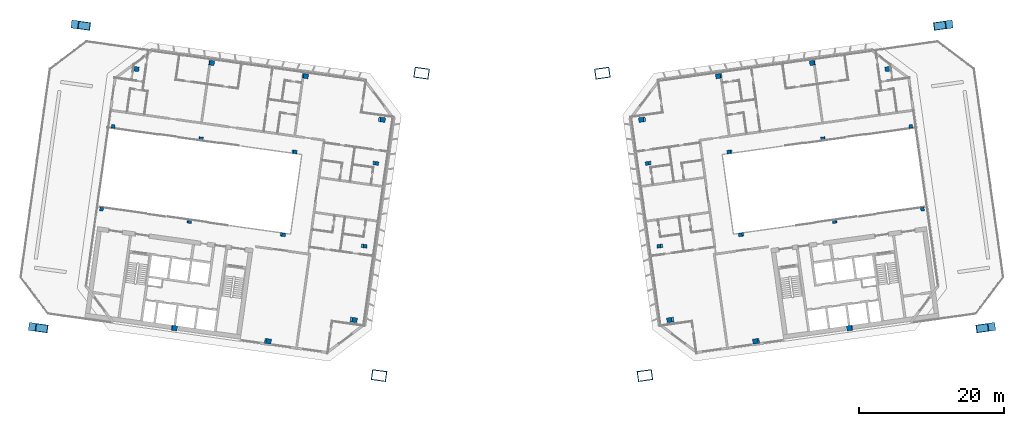
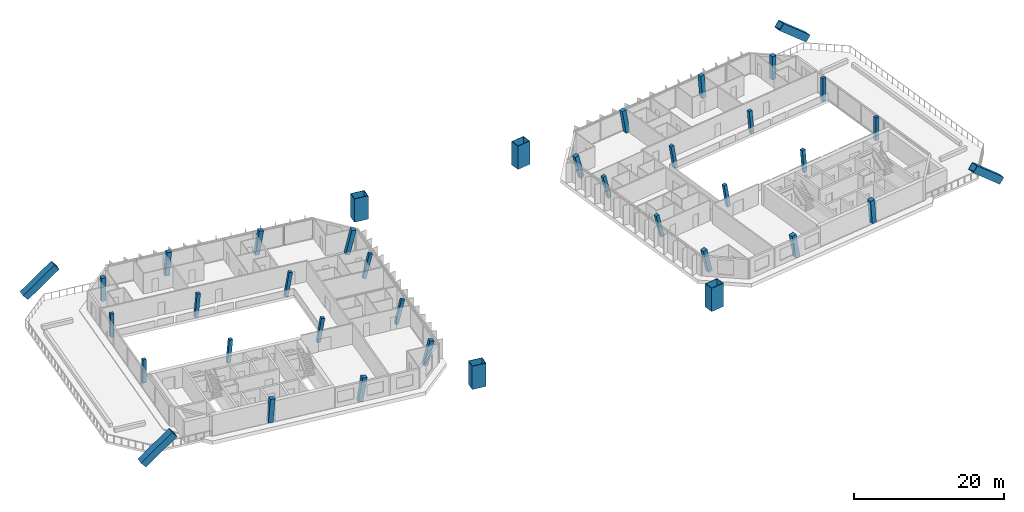
# One storey, part 1 of 17: 38 columns.
"""IFC4 building model written with IfcOpenShell, lengths in metres."""

from ifc_helpers import new_model, si_unit, direction, frame, origin, origin_2d, place, context, subcontext, project, spatial, rectangle, hollow_rectangle, extrude, material, material_profile, profile_set, type_object, element, save


model = new_model("IFC4")

# Units and contexts
model_context = context("Model", 3, precision=1e-05, world=origin(), true_north=direction((0.0, 1.0)))
body_context = subcontext(model_context, "Body", "Model", "MODEL_VIEW")
ifc_project = project(units=[si_unit("LENGTHUNIT", "METRE"), si_unit("AREAUNIT", "SQUARE_METRE"), si_unit("VOLUMEUNIT", "CUBIC_METRE"), si_unit("PLANEANGLEUNIT", "RADIAN"), si_unit("MASSUNIT", "GRAM", prefix="KILO")], contexts=[model_context])

# Site, building, storey
site_placement = place(None, origin())
site = spatial("IfcSite", under=ifc_project, at=site_placement, CompositionType="ELEMENT")
building_placement = place(site_placement, origin())
building = spatial("IfcBuilding", under=site, at=building_placement, Name="Mirante Cascada Hotel Towers", CompositionType="ELEMENT")
storey_placement = place(building_placement, frame((0.0, 0.0, 250.8)))
storey = spatial("IfcBuildingStorey", under=building, at=storey_placement, Name="L60", CompositionType="ELEMENT", Elevation=250.8)

# Columns
ifc_material_1 = material(Name="Steel ASTM A572 Gr 50", Category="steel")
ifc_material_profile_1 = material_profile(ifc_material_1, hollow_rectangle(XDim=1.1, YDim=1.1, WallThickness=0.05, at=origin_2d()), Name="Box column 1100x1100x50 ASTM A572 Gr 50")
ifc_profile_set_1 = profile_set([ifc_material_profile_1], Name="Steel ASTM A572 Gr 50")
column_type_1 = type_object("IfcColumnType", Name="Box column 1100x1100x50 ASTM A572 Gr 50", PredefinedType="COLUMN", material=ifc_profile_set_1)
for number, where, z_axis, x_axis, name in (
    (1, (-60.2513, 23.4579, 0.0), (0.7565937, -0.106336, 0.6451811), (0.1391779, 0.9902674, 0.0), "Mega column MC3 T1 L60"),
    (2, (-66.0966, -18.1333, 0.0), (0.7565937, -0.106336, 0.6451811), (0.1391779, 0.9902674, 0.0), "Mega column MC4 T1 L60"),
    (3, (60.2513, 23.4579, 0.0), (-0.7565937, -0.106336, 0.6451811), (0.1391779, -0.9902674, 0.0), "Mega column MC3 T2 L60"),
    (4, (66.0966, -18.1333, 0.0), (-0.7565937, -0.106336, 0.6451811), (0.1391779, -0.9902674, 0.0), "Mega column MC4 T2 L60"),
):
    element("IfcColumn", number, at=place(storey_placement, frame(where, z_axis=z_axis, x_axis=x_axis)), inside=storey, type_object=column_type_1, Name=name, PredefinedType="COLUMN", context=body_context, shape_type="SweptSolid", body=[
        extrude(hollow_rectangle(XDim=1.1, YDim=1.1, WallThickness=0.05, at=origin_2d()), origin(), (0.0, 0.0, 1.0), 5.8898),
    ])
ifc_material_2 = material(Name="Steel ASTM A572 Gr 50", Category="steel")
ifc_material_profile_2 = material_profile(ifc_material_2, hollow_rectangle(XDim=2.0, YDim=1.4, WallThickness=0.06, at=origin_2d()), Name="Box column 1400x2000x60 ASTM A572 Gr 50")
ifc_profile_set_2 = profile_set([ifc_material_profile_2], Name="Steel ASTM A572 Gr 50")
column_type_2 = type_object("IfcColumnType", Name="Box column 1400x2000x60 ASTM A572 Gr 50", PredefinedType="COLUMN", material=ifc_profile_set_2)
for number, where, z_axis, x_axis, name in (
    (5, (-12.4334, 16.7376, 0.0), (0.0, 0.0, 1.0), (-0.9902681, 0.1391731, 0.0), "Mega column MC1 T1 L60"),
    (6, (-18.2787, -24.8537, 0.0), (0.0, 0.0, 1.0), (-0.9902681, 0.1391731, 0.0), "Mega column MC2 T1 L60"),
    (7, (12.4334, 16.7376, 0.0), (0.0, 0.0, 1.0), (0.9902681, 0.1391731, 0.0), "Mega column MC1 T2 L60"),
    (8, (18.2787, -24.8537, 0.0), (0.0, 0.0, 1.0), (0.9902681, 0.1391731, 0.0), "Mega column MC2 T2 L60"),
):
    element("IfcColumn", number, at=place(storey_placement, frame(where, z_axis=z_axis, x_axis=x_axis)), inside=storey, type_object=column_type_2, Name=name, PredefinedType="COLUMN", context=body_context, shape_type="SweptSolid", body=[
        extrude(hollow_rectangle(XDim=2.0, YDim=1.4, WallThickness=0.06, at=origin_2d()), origin(), (0.0, 0.0, 1.0), 3.8),
    ])
ifc_material_3 = material(Name="Concrete C50/60", Category="concrete")
ifc_material_profile_3 = material_profile(ifc_material_3, rectangle(XDim=0.5, YDim=0.5, at=origin_2d()), Name="RC column 500x500 C50/60")
ifc_profile_set_3 = profile_set([ifc_material_profile_3], Name="Concrete C50/60")
column_type_3 = type_object("IfcColumnType", Name="RC column 500x500 C50/60", PredefinedType="COLUMN", material=ifc_profile_set_3)
for number, where, z_axis, x_axis, name in (
    (9, (-18.8816, 4.3646, 0.0039), (0.2312057, -0.0325129, 0.9723615), (0.1392531, 0.9902568, 0.0), "Column T1 L60 2"),
    (10, (-20.4821, -7.0235, 0.0039), (0.2312057, -0.0325129, 0.9723615), (0.1392531, 0.9902568, 0.0), "Column T1 L60 3"),
):
    element("IfcColumn", number, at=place(storey_placement, frame(where, z_axis=z_axis, x_axis=x_axis)), inside=storey, type_object=column_type_3, Name=name, PredefinedType="COLUMN", context=body_context, shape_type="SweptSolid", body=[
        extrude(rectangle(XDim=0.5, YDim=0.5, at=origin_2d()), origin(), (0.0, 0.0, 1.0), 3.9),
    ])
for number, where, z_axis, x_axis, name in (
    (11, (-30.0054, 5.9279, 0.0039), (0.1631072, -0.0229146, 0.9863422), (0.1391218, 0.9902753, 0.0), "Column T1 L60 6"),
    (12, (-31.6059, -5.4602, 0.0039), (0.1631072, -0.0229146, 0.9863422), (0.1391218, 0.9902753, 0.0), "Column T1 L60 7"),
):
    element("IfcColumn", number, at=place(storey_placement, frame(where, z_axis=z_axis, x_axis=x_axis)), inside=storey, type_object=column_type_3, Name=name, PredefinedType="COLUMN", context=body_context, shape_type="SweptSolid", body=[
        extrude(rectangle(XDim=0.5, YDim=0.5, at=origin_2d()), origin(), (0.0, 0.0, 1.0), 3.8447),
    ])
for number, where, z_axis, x_axis, name in (
    (13, (-42.8251, 7.7296, 0.004), (0.0824135, -0.0115894, 0.9965308), (0.1392548, 0.9902566, 0.0), "Column T1 L60 10"),
    (14, (-44.4256, -3.6585, 0.004), (0.0824135, -0.0115894, 0.9965308), (0.1392548, 0.9902566, 0.0), "Column T1 L60 11"),
):
    element("IfcColumn", number, at=place(storey_placement, frame(where, z_axis=z_axis, x_axis=x_axis)), inside=storey, type_object=column_type_3, Name=name, PredefinedType="COLUMN", context=body_context, shape_type="SweptSolid", body=[
        extrude(rectangle(XDim=0.5, YDim=0.5, at=origin_2d()), origin(), (0.0, 0.0, 1.0), 3.8052),
    ])
for number, where, z_axis, x_axis, name in (
    (15, (-54.8525, 9.4199, 0.0), (0.0, 0.0, 1.0), (-0.9902681, 0.1391731, 0.0), "Column T1 L60 14"),
    (16, (-56.453, -1.9681, 0.0), (0.0, 0.0, 1.0), (-0.9902681, 0.1391731, 0.0), "Column T1 L60 15"),
):
    element("IfcColumn", number, at=place(storey_placement, frame(where, z_axis=z_axis, x_axis=x_axis)), inside=storey, type_object=column_type_3, Name=name, PredefinedType="COLUMN", context=body_context, shape_type="SweptSolid", body=[
        extrude(rectangle(XDim=0.5, YDim=0.5, at=origin_2d()), origin(), (0.0, 0.0, 1.0), 3.8),
    ])
for number, where, z_axis, x_axis, name in (
    (17, (18.8816, 4.3646, 0.0039), (-0.2312057, -0.0325129, 0.9723615), (0.1392531, -0.9902568, 0.0), "Column T2 L60 2"),
    (18, (20.4821, -7.0235, 0.0039), (-0.2312057, -0.0325129, 0.9723615), (0.1392531, -0.9902568, 0.0), "Column T2 L60 3"),
):
    element("IfcColumn", number, at=place(storey_placement, frame(where, z_axis=z_axis, x_axis=x_axis)), inside=storey, type_object=column_type_3, Name=name, PredefinedType="COLUMN", context=body_context, shape_type="SweptSolid", body=[
        extrude(rectangle(XDim=0.5, YDim=0.5, at=origin_2d()), origin(), (0.0, 0.0, 1.0), 3.9),
    ])
for number, where, z_axis, x_axis, name in (
    (19, (30.0054, 5.9279, 0.0039), (-0.1631072, -0.0229146, 0.9863422), (0.1391218, -0.9902753, 0.0), "Column T2 L60 6"),
    (20, (31.6059, -5.4602, 0.0039), (-0.1631072, -0.0229146, 0.9863422), (0.1391218, -0.9902753, 0.0), "Column T2 L60 7"),
):
    element("IfcColumn", number, at=place(storey_placement, frame(where, z_axis=z_axis, x_axis=x_axis)), inside=storey, type_object=column_type_3, Name=name, PredefinedType="COLUMN", context=body_context, shape_type="SweptSolid", body=[
        extrude(rectangle(XDim=0.5, YDim=0.5, at=origin_2d()), origin(), (0.0, 0.0, 1.0), 3.8447),
    ])
for number, where, z_axis, x_axis, name in (
    (21, (42.8251, 7.7296, 0.004), (-0.0824135, -0.0115894, 0.9965308), (0.1392548, -0.9902566, 0.0), "Column T2 L60 10"),
    (22, (44.4256, -3.6585, 0.004), (-0.0824135, -0.0115894, 0.9965308), (0.1392548, -0.9902566, 0.0), "Column T2 L60 11"),
):
    element("IfcColumn", number, at=place(storey_placement, frame(where, z_axis=z_axis, x_axis=x_axis)), inside=storey, type_object=column_type_3, Name=name, PredefinedType="COLUMN", context=body_context, shape_type="SweptSolid", body=[
        extrude(rectangle(XDim=0.5, YDim=0.5, at=origin_2d()), origin(), (0.0, 0.0, 1.0), 3.8052),
    ])
for number, where, z_axis, x_axis, name in (
    (23, (54.8525, 9.4199, 0.0), (0.0, 0.0, 1.0), (0.9902681, 0.1391731, 0.0), "Column T2 L60 14"),
    (24, (56.453, -1.9681, 0.0), (0.0, 0.0, 1.0), (0.9902681, 0.1391731, 0.0), "Column T2 L60 15"),
):
    element("IfcColumn", number, at=place(storey_placement, frame(where, z_axis=z_axis, x_axis=x_axis)), inside=storey, type_object=column_type_3, Name=name, PredefinedType="COLUMN", context=body_context, shape_type="SweptSolid", body=[
        extrude(rectangle(XDim=0.5, YDim=0.5, at=origin_2d()), origin(), (0.0, 0.0, 1.0), 3.8),
    ])
ifc_material_4 = material(Name="Concrete C50/60", Category="concrete")
ifc_material_profile_4 = material_profile(ifc_material_4, rectangle(XDim=0.65, YDim=0.65, at=origin_2d()), Name="RC column 650x650 C50/60")
ifc_profile_set_4 = profile_set([ifc_material_profile_4], Name="Concrete C50/60")
column_type_4 = type_object("IfcColumnType", Name="RC column 650x650 C50/60", PredefinedType="COLUMN", material=ifc_profile_set_4)
for number, where, z_axis, x_axis, name in (
    (25, (-18.0396, 10.3557, 0.0039), (0.2312057, -0.0325129, 0.9723615), (0.1392531, 0.9902568, 0.0), "Column T1 L60 1"),
    (26, (-21.9086, -17.1738, 0.0039), (0.2312059, -0.0324873, 0.9723623), (0.1391455, 0.990272, 0.0), "Column T1 L60 4"),
):
    element("IfcColumn", number, at=place(storey_placement, frame(where, z_axis=z_axis, x_axis=x_axis)), inside=storey, type_object=column_type_4, Name=name, PredefinedType="COLUMN", context=body_context, shape_type="SweptSolid", body=[
        extrude(rectangle(XDim=0.65, YDim=0.65, at=origin_2d()), origin(), (0.0, 0.0, 1.0), 3.9),
    ])
column_1_placement = place(storey_placement, frame((-28.5406, 16.3505, 0.0039), z_axis=(0.1631071, -0.0229406, 0.9863416), x_axis=(0.1392766, 0.9902535, 0.0)))
element("IfcColumn", 27, at=column_1_placement, inside=storey, type_object=column_type_4, Name="Column T1 L60 5", PredefinedType="COLUMN", context=body_context, shape_type="SweptSolid", body=[
    extrude(rectangle(XDim=0.65, YDim=0.65, at=origin_2d()), origin(), (0.0, 0.0, 1.0), 3.8447),
])
column_2_placement = place(storey_placement, frame((-41.3603, 18.1522, 0.004), z_axis=(0.0824135, -0.0115894, 0.9965308), x_axis=(0.1392548, 0.9902566, 0.0)))
element("IfcColumn", 28, at=column_2_placement, inside=storey, type_object=column_type_4, Name="Column T1 L60 9", PredefinedType="COLUMN", context=body_context, shape_type="SweptSolid", body=[
    extrude(rectangle(XDim=0.65, YDim=0.65, at=origin_2d()), origin(), (0.0, 0.0, 1.0), 3.8052),
])
column_3_placement = place(storey_placement, frame((-51.6248, 17.2974, 0.0), z_axis=(0.0, 0.0, 1.0), x_axis=(-0.9902681, 0.1391731, 0.0)))
element("IfcColumn", 29, at=column_3_placement, inside=storey, type_object=column_type_4, Name="Column T1 L60 13", PredefinedType="COLUMN", context=body_context, shape_type="SweptSolid", body=[
    extrude(rectangle(XDim=0.65, YDim=0.65, at=origin_2d()), origin(), (0.0, 0.0, 1.0), 3.8),
])
for number, where, z_axis, x_axis, name in (
    (30, (18.0396, 10.3557, 0.0039), (-0.2312057, -0.0325129, 0.9723615), (0.1392531, -0.9902568, 0.0), "Column T2 L60 1"),
    (31, (21.9086, -17.1738, 0.0039), (-0.2312059, -0.0324873, 0.9723623), (0.1391455, -0.990272, 0.0), "Column T2 L60 4"),
):
    element("IfcColumn", number, at=place(storey_placement, frame(where, z_axis=z_axis, x_axis=x_axis)), inside=storey, type_object=column_type_4, Name=name, PredefinedType="COLUMN", context=body_context, shape_type="SweptSolid", body=[
        extrude(rectangle(XDim=0.65, YDim=0.65, at=origin_2d()), origin(), (0.0, 0.0, 1.0), 3.9),
    ])
column_4_placement = place(storey_placement, frame((28.5406, 16.3505, 0.0039), z_axis=(-0.1631071, -0.0229406, 0.9863416), x_axis=(0.1392766, -0.9902535, 0.0)))
element("IfcColumn", 32, at=column_4_placement, inside=storey, type_object=column_type_4, Name="Column T2 L60 5", PredefinedType="COLUMN", context=body_context, shape_type="SweptSolid", body=[
    extrude(rectangle(XDim=0.65, YDim=0.65, at=origin_2d()), origin(), (0.0, 0.0, 1.0), 3.8447),
])
column_5_placement = place(storey_placement, frame((41.3603, 18.1522, 0.004), z_axis=(-0.0824135, -0.0115894, 0.9965308), x_axis=(0.1392548, -0.9902566, 0.0)))
element("IfcColumn", 33, at=column_5_placement, inside=storey, type_object=column_type_4, Name="Column T2 L60 9", PredefinedType="COLUMN", context=body_context, shape_type="SweptSolid", body=[
    extrude(rectangle(XDim=0.65, YDim=0.65, at=origin_2d()), origin(), (0.0, 0.0, 1.0), 3.8052),
])
column_6_placement = place(storey_placement, frame((51.6248, 17.2974, 0.0), z_axis=(0.0, 0.0, 1.0), x_axis=(0.9902681, 0.1391731, 0.0)))
element("IfcColumn", 34, at=column_6_placement, inside=storey, type_object=column_type_4, Name="Column T2 L60 13", PredefinedType="COLUMN", context=body_context, shape_type="SweptSolid", body=[
    extrude(rectangle(XDim=0.65, YDim=0.65, at=origin_2d()), origin(), (0.0, 0.0, 1.0), 3.8),
])
ifc_material_5 = material(Name="Concrete C50/60", Category="concrete")
ifc_material_profile_5 = material_profile(ifc_material_5, rectangle(XDim=0.7, YDim=0.7, at=origin_2d()), Name="RC column 700x700 C50/60")
ifc_profile_set_5 = profile_set([ifc_material_profile_5], Name="Concrete C50/60")
column_type_5 = type_object("IfcColumnType", Name="RC column 700x700 C50/60", PredefinedType="COLUMN", material=ifc_profile_set_5)
column_7_placement = place(storey_placement, frame((-33.6657, -20.1161, 0.0039), z_axis=(0.1631324, -0.0229405, 0.9863374), x_axis=(0.1392548, 0.9902566, 0.0)))
element("IfcColumn", 35, at=column_7_placement, inside=storey, type_object=column_type_5, Name="Column T1 L60 8", PredefinedType="COLUMN", context=body_context, shape_type="SweptSolid", body=[
    extrude(rectangle(XDim=0.7, YDim=0.7, at=origin_2d()), origin(), (0.0, 0.0, 1.0), 3.8447),
])
column_8_placement = place(storey_placement, frame((-46.4853, -18.3145, 0.004), z_axis=(0.0823874, -0.0115632, 0.9965333), x_axis=(0.1389886, 0.990294, 0.0)))
element("IfcColumn", 36, at=column_8_placement, inside=storey, type_object=column_type_5, Name="Column T1 L60 12", PredefinedType="COLUMN", context=body_context, shape_type="SweptSolid", body=[
    extrude(rectangle(XDim=0.7, YDim=0.7, at=origin_2d()), origin(), (0.0, 0.0, 1.0), 3.8052),
])
column_9_placement = place(storey_placement, frame((33.6657, -20.1161, 0.0039), z_axis=(-0.1631324, -0.0229405, 0.9863374), x_axis=(0.1392548, -0.9902566, 0.0)))
element("IfcColumn", 37, at=column_9_placement, inside=storey, type_object=column_type_5, Name="Column T2 L60 8", PredefinedType="COLUMN", context=body_context, shape_type="SweptSolid", body=[
    extrude(rectangle(XDim=0.7, YDim=0.7, at=origin_2d()), origin(), (0.0, 0.0, 1.0), 3.8447),
])
column_10_placement = place(storey_placement, frame((46.4853, -18.3145, 0.004), z_axis=(-0.0823874, -0.0115632, 0.9965333), x_axis=(0.1389886, -0.990294, 0.0)))
element("IfcColumn", 38, at=column_10_placement, inside=storey, type_object=column_type_5, Name="Column T2 L60 12", PredefinedType="COLUMN", context=body_context, shape_type="SweptSolid", body=[
    extrude(rectangle(XDim=0.7, YDim=0.7, at=origin_2d()), origin(), (0.0, 0.0, 1.0), 3.8052),
])

save(model, "model.ifc")
